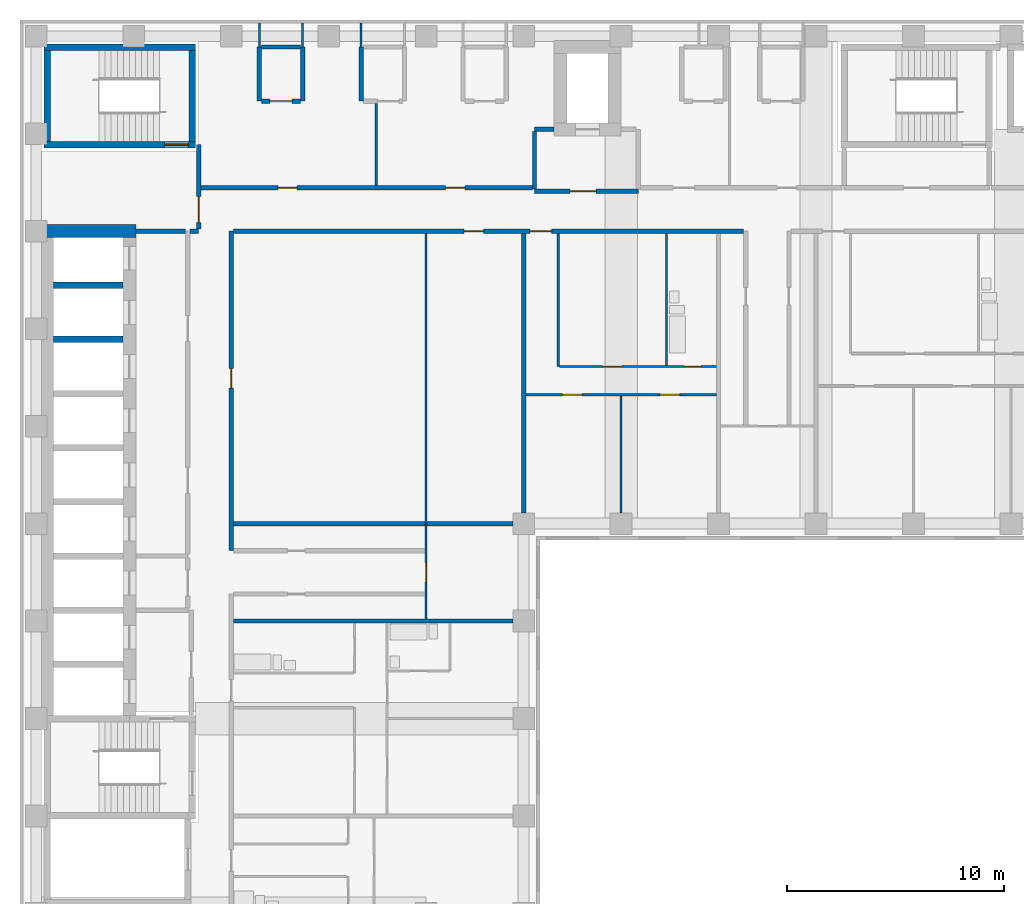
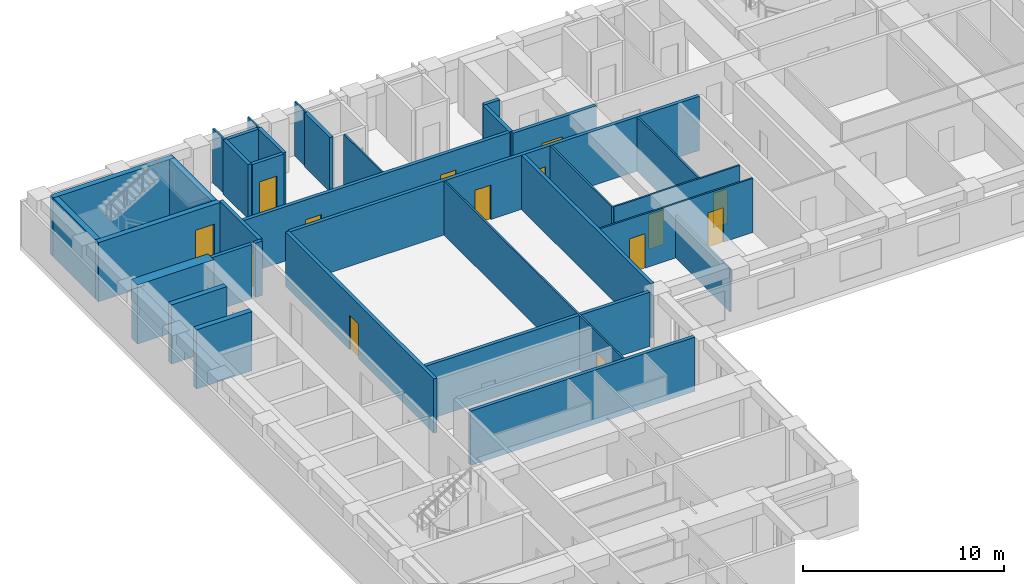
# One storey, part 5 of 12: 34 walls, 14 doors, 14 openings.
"""IFC4 building model written with IfcOpenShell, lengths in metres."""

from ifc_helpers import new_model, si_unit, direction, frame, frame_2d, origin, place, context, subcontext, project, spatial, rectangle, extrude, material, layer, layer_set, type_object, element, fill, save


model = new_model("IFC4")

# Units and contexts
model_context = context("Model", 3, precision=1e-05, world=origin(), true_north=direction((0.0, 1.0)))
body_context = subcontext(model_context, "Body", "Model", "MODEL_VIEW")
ifc_project = project(units=[si_unit("LENGTHUNIT", "METRE"), si_unit("AREAUNIT", "SQUARE_METRE"), si_unit("VOLUMEUNIT", "CUBIC_METRE"), si_unit("PLANEANGLEUNIT", "RADIAN"), si_unit("MASSUNIT", "GRAM", prefix="KILO")], contexts=[model_context])

# Site, building, storey
site_placement = place(None, origin())
site = spatial("IfcSite", under=ifc_project, at=site_placement, CompositionType="ELEMENT")
building_placement = place(site_placement, origin())
building = spatial("IfcBuilding", under=site, at=building_placement, Name="Firuza Court", CompositionType="ELEMENT")
storey_placement = place(building_placement, frame((0.0, 0.0, 152.0)))
storey = spatial("IfcBuildingStorey", under=building, at=storey_placement, Name="L38", CompositionType="ELEMENT", Elevation=152.0)

# Wall
ifc_material_1 = material(Name="Moisture-resistant gypsum board partition")
ifc_layer_1 = layer(ifc_material_1, 0.10009765625)
ifc_layer_set_1 = layer_set([ifc_layer_1], Name="Moisture-resistant gypsum board partition")
wall_type_1 = type_object("IfcWallType", Name="Bathroom partition 100", PredefinedType="PLUMBINGWALL", material=ifc_layer_set_1)
wall_1_placement = place(storey_placement, frame((29.10009765625, 43.300048828125, 0.0), z_axis=(0.0, 0.0, 1.0), x_axis=(0.0, 1.0, 0.0)))
element("IfcWall", 1, at=wall_1_placement, inside=storey, type_object=wall_type_1, Name="Bathroom partition 100 L38", PredefinedType="PLUMBINGWALL", context=body_context, shape_type="SweptSolid", body=[
    extrude(rectangle(XDim=6.099853515625, YDim=0.10009765625, at=frame_2d((3.0498046875, 0.0))), origin(), (0.0, 0.0, 1.0), 3.300048828125),
])

# Wall, opening, door
ifc_material_2 = material(Name="Concrete C60/75", Category="concrete")
ifc_layer_2 = layer(ifc_material_2, 0.300048828125)
ifc_layer_set_2 = layer_set([ifc_layer_2], Name="Concrete C60/75")
wall_type_2 = type_object("IfcWallType", Name="Core wall 300 C60/75", PredefinedType="SHEAR", material=ifc_layer_set_2)
wall_2_placement = place(storey_placement, frame((0.35009765625, 53.5, -0.300048828125), z_axis=(0.0, 0.0, 1.0), x_axis=(1.0, 0.0, 0.0)))
wall_2 = element("IfcWall", 2, at=wall_2_placement, inside=storey, type_object=wall_type_2, Name="Core wall stair L38", PredefinedType="SHEAR", context=body_context, shape_type="SweptSolid", body=[
    extrude(rectangle(XDim=7.0, YDim=0.300048828125, at=frame_2d((3.5, 0.0))), origin(), (0.0, 0.0, 1.0), 3.60009765625),
])
opening_1_placement = place(wall_2_placement, frame((5.580078125, 0.0, 0.300048828125)))
opening_1 = element("IfcOpeningElement", 3, at=opening_1_placement, cuts=wall_2, Name="Opening D38015", PredefinedType="OPENING", context=body_context, shape_type="SweptSolid", body=[
    extrude(rectangle(XDim=1.10009765625, YDim=2.10009765625, at=frame_2d((0.550048828125, 1.050048828125))), frame((0.0, 0.162109375, 0.0), z_axis=(0.0, -1.0, 0.0), x_axis=(1.0, 0.0, 0.0)), (0.0, 0.0, 1.0), 0.323974609375),
])
ifc_material_3 = material(Name="Timber door leaf in hardwood frame", Category="wood")
door_type_1 = type_object("IfcDoorType", Name="Stair door 1100", OperationType="SINGLE_SWING_LEFT", PredefinedType="DOOR", material=ifc_material_3)
door_1_placement = place(opening_1_placement, origin())
door_1 = element("IfcDoor", 4, at=door_1_placement, inside=storey, type_object=door_type_1, Name="Stair door S3", OperationType="SINGLE_SWING_RIGHT", OverallHeight=2.10009765625, OverallWidth=1.10009765625, PredefinedType="DOOR", context=body_context, shape_type="SweptSolid", body=[
    extrude(rectangle(XDim=1.10009765625, YDim=2.10009765625, at=frame_2d((0.550048828125, 1.050048828125))), frame((0.0, 0.02490234375, 0.0), z_axis=(0.0, -1.0, 0.0), x_axis=(1.0, 0.0, 0.0)), (0.0, 0.0, 1.0), 0.050048828125),
])
fill(opening_1, door_1)

# Walls
wall_3_placement = place(storey_placement, frame((0.35009765625, 58.0, -0.300048828125), z_axis=(0.0, 0.0, 1.0), x_axis=(1.0, 0.0, 0.0)))
element("IfcWall", 5, at=wall_3_placement, inside=storey, type_object=wall_type_2, Name="Core wall stair L38", PredefinedType="SHEAR", context=body_context, shape_type="SweptSolid", body=[
    extrude(rectangle(XDim=7.0, YDim=0.300048828125, at=frame_2d((3.5, 0.0))), origin(), (0.0, 0.0, 1.0), 3.60009765625),
])
wall_4_placement = place(storey_placement, frame((0.5, 53.64990234375, -0.300048828125), z_axis=(0.0, 0.0, 1.0), x_axis=(0.0, 1.0, 0.0)))
element("IfcWall", 6, at=wall_4_placement, inside=storey, type_object=wall_type_2, Name="Core wall stair L38", PredefinedType="SHEAR", context=body_context, shape_type="SweptSolid", body=[
    extrude(rectangle(XDim=4.2001953125, YDim=0.300048828125, at=frame_2d((2.10009765625, 0.0))), origin(), (0.0, 0.0, 1.0), 3.60009765625),
])
for number, where, z_axis, x_axis, name in (
    (7, (0.800048828125, 44.5, -0.300048828125), (0.0, 0.0, 1.0), (1.0, 0.0, 0.0), "Core wall lift shaft L38"),
    (8, (0.800048828125, 47.0, -0.300048828125), (0.0, 0.0, 1.0), (1.0, 0.0, 0.0), "Core wall lift shaft L38"),
):
    element("IfcWall", number, at=place(storey_placement, frame(where, z_axis=z_axis, x_axis=x_axis)), inside=storey, type_object=wall_type_2, Name=name, PredefinedType="SHEAR", context=body_context, shape_type="SweptSolid", body=[
        extrude(rectangle(XDim=3.199951171875, YDim=0.300048828125, at=frame_2d((1.60009765625, 0.0))), origin(), (0.0, 0.0, 1.0), 3.60009765625),
    ])
wall_5_placement = place(storey_placement, frame((7.199951171875, 53.64990234375, -0.300048828125), z_axis=(0.0, 0.0, 1.0), x_axis=(0.0, 1.0, 0.0)))
element("IfcWall", 9, at=wall_5_placement, inside=storey, type_object=wall_type_2, Name="Core wall stair L38", PredefinedType="SHEAR", context=body_context, shape_type="SweptSolid", body=[
    extrude(rectangle(XDim=4.2001953125, YDim=0.300048828125, at=frame_2d((2.10009765625, 0.0))), origin(), (0.0, 0.0, 1.0), 3.60009765625),
])
ifc_layer_3 = layer(ifc_material_2, 0.60009765625)
ifc_layer_set_3 = layer_set([ifc_layer_3], Name="Concrete C60/75")
wall_type_3 = type_object("IfcWallType", Name="Core wall 600 C60/75", PredefinedType="SHEAR", material=ifc_layer_set_3)
wall_6_placement = place(storey_placement, frame((0.199951171875, 49.5, -0.300048828125), z_axis=(0.0, 0.0, 1.0), x_axis=(1.0, 0.0, 0.0)))
element("IfcWall", 10, at=wall_6_placement, inside=storey, type_object=wall_type_3, Name="Core wall lift shaft L38", PredefinedType="SHEAR", context=body_context, shape_type="SweptSolid", body=[
    extrude(rectangle(XDim=4.400146484375, YDim=0.60009765625, at=frame_2d((2.2001953125, 0.0))), origin(), (0.0, 0.0, 1.0), 3.60009765625),
])

# Wall, opening, door
ifc_material_4 = material(Name="Blockwork, plastered both sides", Category="masonry")
ifc_layer_4 = layer(ifc_material_4, 0.199951171875)
ifc_layer_set_4 = layer_set([ifc_layer_4], Name="Blockwork, plastered both sides")
wall_type_4 = type_object("IfcWallType", Name="Corridor wall 200", PredefinedType="PARTITIONING", material=ifc_layer_set_4)
wall_7_placement = place(storey_placement, frame((9.0, 34.75, 0.0), z_axis=(0.0, 0.0, 1.0), x_axis=(0.0, 1.0, 0.0)))
wall_7 = element("IfcWall", 11, at=wall_7_placement, inside=storey, type_object=wall_type_4, Name="Corridor wall 200 L38", PredefinedType="PARTITIONING", context=body_context, shape_type="SweptSolid", body=[
    extrude(rectangle(XDim=14.75, YDim=0.199951171875, at=frame_2d((7.375, 0.0))), origin(), (0.0, 0.0, 1.0), 3.300048828125),
])
opening_2_placement = place(wall_7_placement, frame((7.5, 0.0, 0.0)))
opening_2 = element("IfcOpeningElement", 12, at=opening_2_placement, cuts=wall_7, Name="Opening D38040", PredefinedType="OPENING", context=body_context, shape_type="SweptSolid", body=[
    extrude(rectangle(XDim=0.89990234375, YDim=2.10009765625, at=frame_2d((0.449951171875, 1.050048828125))), frame((0.0, 0.11181640625, 0.0), z_axis=(0.0, -1.0, 0.0), x_axis=(1.0, 0.0, 0.0)), (0.0, 0.0, 1.0), 0.223876953125),
])
ifc_material_5 = material(Name="Timber door leaf in hardwood frame", Category="wood")
door_type_2 = type_object("IfcDoorType", Name="Room door 900 EI 30", OperationType="SINGLE_SWING_LEFT", PredefinedType="DOOR", material=ifc_material_5)
door_2_placement = place(opening_2_placement, origin())
door_2 = element("IfcDoor", 13, at=door_2_placement, inside=storey, type_object=door_type_2, Name="Residents' dining room door", OperationType="SINGLE_SWING_LEFT", OverallHeight=2.10009765625, OverallWidth=0.89990234375, PredefinedType="DOOR", context=body_context, shape_type="SweptSolid", body=[
    extrude(rectangle(XDim=0.89990234375, YDim=2.10009765625, at=frame_2d((0.449951171875, 1.050048828125))), frame((0.0, 0.02490234375, 0.0), z_axis=(0.0, -1.0, 0.0), x_axis=(1.0, 0.0, 0.0)), (0.0, 0.0, 1.0), 0.050048828125),
])
fill(opening_2, door_2)

# Wall, openings, doors
wall_8_placement = place(storey_placement, frame((9.10009765625, 49.5, 0.0), z_axis=(0.0, 0.0, 1.0), x_axis=(1.0, 0.0, 0.0)))
wall_8 = element("IfcWall", 14, at=wall_8_placement, inside=storey, type_object=wall_type_4, Name="Corridor wall 200 L38", PredefinedType="PARTITIONING", context=body_context, shape_type="SweptSolid", body=[
    extrude(rectangle(XDim=23.5498046875, YDim=0.199951171875, at=frame_2d((11.77490234375, 0.0))), origin(), (0.0, 0.0, 1.0), 3.300048828125),
])
opening_3_placement = place(wall_8_placement, frame((13.699951171875, 0.0, 0.0)))
opening_3 = element("IfcOpeningElement", 15, at=opening_3_placement, cuts=wall_8, Name="Opening D38066", PredefinedType="OPENING", context=body_context, shape_type="SweptSolid", body=[
    extrude(rectangle(XDim=1.0, YDim=2.10009765625, at=frame_2d((0.5, 1.050048828125))), frame((0.0, 0.11181640625, 0.0), z_axis=(0.0, -1.0, 0.0), x_axis=(1.0, 0.0, 0.0)), (0.0, 0.0, 1.0), 0.223876953125),
])
opening_4_placement = place(wall_8_placement, frame((10.64990234375, 0.0, 0.0)))
opening_4 = element("IfcOpeningElement", 16, at=opening_4_placement, cuts=wall_8, Name="Opening D38067", PredefinedType="OPENING", context=body_context, shape_type="SweptSolid", body=[
    extrude(rectangle(XDim=0.89990234375, YDim=2.10009765625, at=frame_2d((0.449951171875, 1.050048828125))), frame((0.0, 0.11181640625, 0.0), z_axis=(0.0, -1.0, 0.0), x_axis=(1.0, 0.0, 0.0)), (0.0, 0.0, 1.0), 0.223876953125),
])
ifc_material_6 = material(Name="Timber door leaf in hardwood frame", Category="wood")
door_type_3 = type_object("IfcDoorType", Name="Flat entrance door 1000", OperationType="SINGLE_SWING_LEFT", PredefinedType="DOOR", material=ifc_material_6)
door_3_placement = place(opening_3_placement, origin())
door_3 = element("IfcDoor", 17, at=door_3_placement, inside=storey, type_object=door_type_3, Name="Flat entrance door", OperationType="SINGLE_SWING_LEFT", OverallHeight=2.10009765625, OverallWidth=1.0, PredefinedType="DOOR", context=body_context, shape_type="SweptSolid", body=[
    extrude(rectangle(XDim=1.0, YDim=2.10009765625, at=frame_2d((0.5, 1.050048828125))), frame((0.0, 0.02490234375, 0.0), z_axis=(0.0, -1.0, 0.0), x_axis=(1.0, 0.0, 0.0)), (0.0, 0.0, 1.0), 0.050048828125),
])
fill(opening_3, door_3)
door_4_placement = place(opening_4_placement, frame((0.89990234375, 0.0, 0.0), z_axis=(0.0, 0.0, 1.0), x_axis=(-1.0, 0.0, 0.0)))
door_4 = element("IfcDoor", 18, at=door_4_placement, inside=storey, type_object=door_type_2, Name="Library door", OperationType="SINGLE_SWING_RIGHT", OverallHeight=2.10009765625, OverallWidth=0.89990234375, PredefinedType="DOOR", context=body_context, shape_type="SweptSolid", body=[
    extrude(rectangle(XDim=0.89990234375, YDim=2.10009765625, at=frame_2d((0.449951171875, 1.050048828125))), frame((0.0, 0.02490234375, 0.0), z_axis=(0.0, -1.0, 0.0), x_axis=(1.0, 0.0, 0.0)), (0.0, 0.0, 1.0), 0.050048828125),
])
fill(opening_4, door_4)

wall_9_placement = place(storey_placement, frame((7.60009765625, 51.5, 0.0), z_axis=(0.0, 0.0, 1.0), x_axis=(1.0, 0.0, 0.0)))
wall_9 = element("IfcWall", 19, at=wall_9_placement, inside=storey, type_object=wall_type_4, Name="Corridor wall 200 L38", PredefinedType="PARTITIONING", context=body_context, shape_type="SweptSolid", body=[
    extrude(rectangle(XDim=15.2998046875, YDim=0.199951171875, at=frame_2d((7.64990234375, 0.0))), origin(), (0.0, 0.0, 1.0), 3.300048828125),
])
opening_5_placement = place(wall_9_placement, frame((3.550048828125, 0.0, 0.0)))
opening_5 = element("IfcOpeningElement", 20, at=opening_5_placement, cuts=wall_9, Name="Opening D38070", PredefinedType="OPENING", context=body_context, shape_type="SweptSolid", body=[
    extrude(rectangle(XDim=0.89990234375, YDim=2.10009765625, at=frame_2d((0.449951171875, 1.050048828125))), frame((0.0, 0.11181640625, 0.0), z_axis=(0.0, -1.0, 0.0), x_axis=(1.0, 0.0, 0.0)), (0.0, 0.0, 1.0), 0.223876953125),
])
opening_6_placement = place(wall_9_placement, frame((11.300048828125, 0.0, 0.0)))
opening_6 = element("IfcOpeningElement", 21, at=opening_6_placement, cuts=wall_9, Name="Opening D38071", PredefinedType="OPENING", context=body_context, shape_type="SweptSolid", body=[
    extrude(rectangle(XDim=0.89990234375, YDim=2.10009765625, at=frame_2d((0.449951171875, 1.050048828125))), frame((0.0, 0.11181640625, 0.0), z_axis=(0.0, -1.0, 0.0), x_axis=(1.0, 0.0, 0.0)), (0.0, 0.0, 1.0), 0.223876953125),
])
door_5_placement = place(opening_5_placement, origin())
door_5 = element("IfcDoor", 22, at=door_5_placement, inside=storey, type_object=door_type_2, Name="Meeting room door", OperationType="SINGLE_SWING_LEFT", OverallHeight=2.10009765625, OverallWidth=0.89990234375, PredefinedType="DOOR", context=body_context, shape_type="SweptSolid", body=[
    extrude(rectangle(XDim=0.89990234375, YDim=2.10009765625, at=frame_2d((0.449951171875, 1.050048828125))), frame((0.0, 0.02490234375, 0.0), z_axis=(0.0, -1.0, 0.0), x_axis=(1.0, 0.0, 0.0)), (0.0, 0.0, 1.0), 0.050048828125),
])
fill(opening_5, door_5)
door_6_placement = place(opening_6_placement, origin())
door_6 = element("IfcDoor", 23, at=door_6_placement, inside=storey, type_object=door_type_2, Name="Meeting room door", OperationType="SINGLE_SWING_LEFT", OverallHeight=2.10009765625, OverallWidth=0.89990234375, PredefinedType="DOOR", context=body_context, shape_type="SweptSolid", body=[
    extrude(rectangle(XDim=0.89990234375, YDim=2.10009765625, at=frame_2d((0.449951171875, 1.050048828125))), frame((0.0, 0.02490234375, 0.0), z_axis=(0.0, -1.0, 0.0), x_axis=(1.0, 0.0, 0.0)), (0.0, 0.0, 1.0), 0.050048828125),
])
fill(opening_6, door_6)

# Wall, opening, door
ifc_material_7 = material(Name="Timber stud partition, plasterboard both sides", Category="wood")
ifc_layer_5 = layer(ifc_material_7, 0.10009765625)
ifc_layer_set_5 = layer_set([ifc_layer_5], Name="Timber stud partition, plasterboard both sides")
wall_type_5 = type_object("IfcWallType", Name="Partition wall 100", PredefinedType="PARTITIONING", material=ifc_layer_set_5)
wall_10_placement = place(storey_placement, frame((18.0, 31.60009765625, 0.0), z_axis=(0.0, 0.0, 1.0), x_axis=(0.0, 1.0, 0.0)))
wall_10 = element("IfcWall", 24, at=wall_10_placement, inside=storey, type_object=wall_type_5, Name="Partition wall 100 L38", PredefinedType="PARTITIONING", context=body_context, shape_type="SweptSolid", body=[
    extrude(rectangle(XDim=17.7998046875, YDim=0.10009765625, at=frame_2d((8.89990234375, 0.0))), origin(), (0.0, 0.0, 1.0), 3.300048828125),
])
opening_7_placement = place(wall_10_placement, frame((1.699951171875, 0.0, 0.0)))
opening_7 = element("IfcOpeningElement", 25, at=opening_7_placement, cuts=wall_10, Name="Opening D38038", PredefinedType="OPENING", context=body_context, shape_type="SweptSolid", body=[
    extrude(rectangle(XDim=0.89990234375, YDim=2.10009765625, at=frame_2d((0.449951171875, 1.050048828125))), frame((0.0, 0.06201171875, 0.0), z_axis=(0.0, -1.0, 0.0), x_axis=(1.0, 0.0, 0.0)), (0.0, 0.0, 1.0), 0.1240234375),
])
ifc_material_8 = material(Name="Timber door leaf in hardwood frame", Category="wood")
door_type_4 = type_object("IfcDoorType", Name="Room door 900", OperationType="SINGLE_SWING_LEFT", PredefinedType="DOOR", material=ifc_material_8)
door_7_placement = place(opening_7_placement, origin())
door_7 = element("IfcDoor", 26, at=door_7_placement, inside=storey, type_object=door_type_4, Name="Residents' lounge door", OperationType="SINGLE_SWING_LEFT", OverallHeight=2.10009765625, OverallWidth=0.89990234375, PredefinedType="DOOR", context=body_context, shape_type="SweptSolid", body=[
    extrude(rectangle(XDim=0.89990234375, YDim=2.10009765625, at=frame_2d((0.449951171875, 1.050048828125))), frame((0.0, 0.02490234375, 0.0), z_axis=(0.0, -1.0, 0.0), x_axis=(1.0, 0.0, 0.0)), (0.0, 0.0, 1.0), 0.050048828125),
])
fill(opening_7, door_7)

# Wall
wall_11_placement = place(storey_placement, frame((27.0, 36.5, 0.0), z_axis=(0.0, 0.0, 1.0), x_axis=(0.0, 1.0, 0.0)))
element("IfcWall", 27, at=wall_11_placement, inside=storey, type_object=wall_type_5, Name="Partition wall 100 L38", PredefinedType="PARTITIONING", context=body_context, shape_type="SweptSolid", body=[
    extrude(rectangle(XDim=5.39990234375, YDim=0.10009765625, at=frame_2d((2.699951171875, 0.0))), origin(), (0.0, 0.0, 1.0), 2.60009765625),
])

# Wall, openings, doors
wall_12_placement = place(storey_placement, frame((22.60009765625, 41.949951171875, 0.0), z_axis=(0.0, 0.0, 1.0), x_axis=(1.0, 0.0, 0.0)))
wall_12 = element("IfcWall", 28, at=wall_12_placement, inside=storey, type_object=wall_type_5, Name="Partition wall 100 L38", PredefinedType="PARTITIONING", context=body_context, shape_type="SweptSolid", body=[
    extrude(rectangle(XDim=8.7998046875, YDim=0.10009765625, at=frame_2d((4.39990234375, 0.0))), origin(), (0.0, 0.0, 1.0), 3.300048828125),
])
opening_8_placement = place(wall_12_placement, frame((1.699951171875, 0.0, 0.0)))
opening_8 = element("IfcOpeningElement", 29, at=opening_8_placement, cuts=wall_12, Name="Opening D38051", PredefinedType="OPENING", context=body_context, shape_type="SweptSolid", body=[
    extrude(rectangle(XDim=0.89990234375, YDim=2.10009765625, at=frame_2d((0.449951171875, 1.050048828125))), frame((0.0, 0.06201171875, 0.0), z_axis=(0.0, -1.0, 0.0), x_axis=(1.0, 0.0, 0.0)), (0.0, 0.0, 1.0), 0.1240234375),
])
opening_9_placement = place(wall_12_placement, frame((6.199951171875, 0.0, 0.0)))
opening_9 = element("IfcOpeningElement", 30, at=opening_9_placement, cuts=wall_12, Name="Opening D38052", PredefinedType="OPENING", context=body_context, shape_type="SweptSolid", body=[
    extrude(rectangle(XDim=0.89990234375, YDim=2.10009765625, at=frame_2d((0.449951171875, 1.050048828125))), frame((0.0, 0.06201171875, 0.0), z_axis=(0.0, -1.0, 0.0), x_axis=(1.0, 0.0, 0.0)), (0.0, 0.0, 1.0), 0.1240234375),
])
door_8_placement = place(opening_8_placement, frame((0.89990234375, 0.0, 0.0), z_axis=(0.0, 0.0, 1.0), x_axis=(-1.0, 0.0, 0.0)))
door_8 = element("IfcDoor", 31, at=door_8_placement, inside=storey, type_object=door_type_4, Name="Bedroom door", OperationType="SINGLE_SWING_RIGHT", OverallHeight=2.10009765625, OverallWidth=0.89990234375, PredefinedType="DOOR", context=body_context, shape_type="SweptSolid", body=[
    extrude(rectangle(XDim=0.89990234375, YDim=2.10009765625, at=frame_2d((0.449951171875, 1.050048828125))), frame((0.0, 0.02490234375, 0.0), z_axis=(0.0, -1.0, 0.0), x_axis=(1.0, 0.0, 0.0)), (0.0, 0.0, 1.0), 0.050048828125),
])
fill(opening_8, door_8)
door_9_placement = place(opening_9_placement, frame((0.89990234375, 0.0, 0.0), z_axis=(0.0, 0.0, 1.0), x_axis=(-1.0, 0.0, 0.0)))
door_9 = element("IfcDoor", 32, at=door_9_placement, inside=storey, type_object=door_type_4, Name="Living room door", OperationType="SINGLE_SWING_RIGHT", OverallHeight=2.10009765625, OverallWidth=0.89990234375, PredefinedType="DOOR", context=body_context, shape_type="SweptSolid", body=[
    extrude(rectangle(XDim=0.89990234375, YDim=2.10009765625, at=frame_2d((0.449951171875, 1.050048828125))), frame((0.0, 0.02490234375, 0.0), z_axis=(0.0, -1.0, 0.0), x_axis=(1.0, 0.0, 0.0)), (0.0, 0.0, 1.0), 0.050048828125),
])
fill(opening_9, door_9)

# Wall
wall_13_placement = place(storey_placement, frame((24.10009765625, 43.25, 0.0), z_axis=(0.0, 0.0, 1.0), x_axis=(0.0, 1.0, 0.0)))
element("IfcWall", 33, at=wall_13_placement, inside=storey, type_object=wall_type_5, Name="Partition wall 100 L38", PredefinedType="PARTITIONING", context=body_context, shape_type="SweptSolid", body=[
    extrude(rectangle(XDim=6.14990234375, YDim=0.10009765625, at=frame_2d((3.074951171875, 0.0))), origin(), (0.0, 0.0, 1.0), 3.300048828125),
])

# Wall, openings, doors
wall_14_placement = place(storey_placement, frame((24.14990234375, 43.25, 0.0), z_axis=(0.0, 0.0, 1.0), x_axis=(1.0, 0.0, 0.0)))
wall_14 = element("IfcWall", 34, at=wall_14_placement, inside=storey, type_object=wall_type_5, Name="Partition wall 100 L38", PredefinedType="PARTITIONING", context=body_context, shape_type="SweptSolid", body=[
    extrude(rectangle(XDim=7.25, YDim=0.10009765625, at=frame_2d((3.625, 0.0))), origin(), (0.0, 0.0, 1.0), 3.300048828125),
])
opening_10_placement = place(wall_14_placement, frame((5.75, 0.0, 0.0)))
opening_10 = element("IfcOpeningElement", 35, at=opening_10_placement, cuts=wall_14, Name="Opening D38056", PredefinedType="OPENING", context=body_context, shape_type="SweptSolid", body=[
    extrude(rectangle(XDim=0.800048828125, YDim=2.10009765625, at=frame_2d((0.39990234375, 1.050048828125))), frame((0.0, 0.06201171875, 0.0), z_axis=(0.0, -1.0, 0.0), x_axis=(1.0, 0.0, 0.0)), (0.0, 0.0, 1.0), 0.1240234375),
])
opening_11_placement = place(wall_14_placement, frame((2.0, 0.0, 0.0)))
opening_11 = element("IfcOpeningElement", 36, at=opening_11_placement, cuts=wall_14, Name="Opening D38057", PredefinedType="OPENING", context=body_context, shape_type="SweptSolid", body=[
    extrude(rectangle(XDim=0.89990234375, YDim=2.10009765625, at=frame_2d((0.449951171875, 1.050048828125))), frame((0.0, 0.06201171875, 0.0), z_axis=(0.0, -1.0, 0.0), x_axis=(1.0, 0.0, 0.0)), (0.0, 0.0, 1.0), 0.1240234375),
])
ifc_material_9 = material(Name="Timber door leaf in hardwood frame", Category="wood")
door_type_5 = type_object("IfcDoorType", Name="Bathroom door 800", OperationType="SINGLE_SWING_LEFT", PredefinedType="DOOR", material=ifc_material_9)
door_10_placement = place(opening_10_placement, origin())
door_10 = element("IfcDoor", 37, at=door_10_placement, inside=storey, type_object=door_type_5, Name="Bathroom door", OperationType="SINGLE_SWING_LEFT", OverallHeight=2.10009765625, OverallWidth=0.800048828125, PredefinedType="DOOR", context=body_context, shape_type="SweptSolid", body=[
    extrude(rectangle(XDim=0.800048828125, YDim=2.10009765625, at=frame_2d((0.39990234375, 1.050048828125))), frame((0.0, 0.02490234375, 0.0), z_axis=(0.0, -1.0, 0.0), x_axis=(1.0, 0.0, 0.0)), (0.0, 0.0, 1.0), 0.050048828125),
])
fill(opening_10, door_10)
door_11_placement = place(opening_11_placement, origin())
door_11 = element("IfcDoor", 38, at=door_11_placement, inside=storey, type_object=door_type_4, Name="Kitchen door", OperationType="SINGLE_SWING_LEFT", OverallHeight=2.10009765625, OverallWidth=0.89990234375, PredefinedType="DOOR", context=body_context, shape_type="SweptSolid", body=[
    extrude(rectangle(XDim=0.89990234375, YDim=2.10009765625, at=frame_2d((0.449951171875, 1.050048828125))), frame((0.0, 0.02490234375, 0.0), z_axis=(0.0, -1.0, 0.0), x_axis=(1.0, 0.0, 0.0)), (0.0, 0.0, 1.0), 0.050048828125),
])
fill(opening_11, door_11)

# Walls
wall_15_placement = place(storey_placement, frame((15.699951171875, 51.60009765625, 0.0), z_axis=(0.0, 0.0, 1.0), x_axis=(0.0, 1.0, 0.0)))
element("IfcWall", 39, at=wall_15_placement, inside=storey, type_object=wall_type_5, Name="Partition wall 100 L38", PredefinedType="PARTITIONING", context=body_context, shape_type="SweptSolid", body=[
    extrude(rectangle(XDim=3.7998046875, YDim=0.10009765625, at=frame_2d((1.89990234375, 0.0))), origin(), (0.0, 0.0, 1.0), 3.300048828125),
])
for number, where, z_axis, x_axis, name in (
    (40, (10.300048828125, 58.0, 0.0), (0.0, 0.0, 1.0), (0.0, 1.0, 0.0), "Partition wall 100 L38"),
    (41, (12.300048828125, 58.0, 0.0), (0.0, 0.0, 1.0), (0.0, 1.0, 0.0), "Partition wall 100 L38"),
    (42, (15.0, 58.0, 0.0), (0.0, 0.0, 1.0), (0.0, 1.0, 0.0), "Partition wall 100 L38"),
):
    element("IfcWall", number, at=place(storey_placement, frame(where, z_axis=z_axis, x_axis=x_axis)), inside=storey, type_object=wall_type_5, Name=name, PredefinedType="PARTITIONING", context=body_context, shape_type="SweptSolid", body=[
        extrude(rectangle(XDim=1.10009765625, YDim=0.10009765625, at=frame_2d((0.550048828125, 0.0))), origin(), (0.0, 0.0, 1.0), 3.300048828125),
    ])
ifc_layer_6 = layer(ifc_material_4, 0.199951171875)
ifc_layer_set_6 = layer_set([ifc_layer_6], Name="Blockwork, plastered both sides")
wall_type_6 = type_object("IfcWallType", Name="Party wall 200", PredefinedType="PARTITIONING", material=ifc_layer_set_6)
for number, where, z_axis, x_axis, name in (
    (43, (9.10009765625, 31.5, 0.0), (0.0, 0.0, 1.0), (1.0, 0.0, 0.0), "Party wall 200 L38"),
    (44, (9.10009765625, 36.0, 0.0), (0.0, 0.0, 1.0), (1.0, 0.0, 0.0), "Party wall 200 L38"),
    (45, (22.5, 36.5, 0.0), (0.0, 0.0, 1.0), (0.0, 1.0, 0.0), "Party wall 200 L38"),
):
    element("IfcWall", number, at=place(storey_placement, frame(where, z_axis=z_axis, x_axis=x_axis)), inside=storey, type_object=wall_type_6, Name=name, PredefinedType="PARTITIONING", context=body_context, shape_type="SweptSolid", body=[
        extrude(rectangle(XDim=12.89990234375, YDim=0.199951171875, at=frame_2d((6.449951171875, 0.0))), origin(), (0.0, 0.0, 1.0), 3.300048828125),
    ])
ifc_material_10 = material(Name="Blockwork, fire-rated", Category="masonry")
ifc_layer_7 = layer(ifc_material_10, 0.199951171875)
ifc_layer_set_7 = layer_set([ifc_layer_7], Name="Blockwork, fire-rated")
wall_type_7 = type_object("IfcWallType", Name="Plant room wall 200", PredefinedType="PARTITIONING", material=ifc_layer_set_7)
wall_16_placement = place(storey_placement, frame((10.300048828125, 55.5, 0.0), z_axis=(0.0, 0.0, 1.0), x_axis=(0.0, 1.0, 0.0)))
element("IfcWall", 46, at=wall_16_placement, inside=storey, type_object=wall_type_7, Name="Plant room wall 200 L38", PredefinedType="PARTITIONING", context=body_context, shape_type="SweptSolid", body=[
    extrude(rectangle(XDim=2.5, YDim=0.199951171875, at=frame_2d((1.25, 0.0))), origin(), (0.0, 0.0, 1.0), 3.300048828125),
])

# Wall, opening, door
wall_17_placement = place(storey_placement, frame((10.39990234375, 55.5, 0.0), z_axis=(0.0, 0.0, 1.0), x_axis=(1.0, 0.0, 0.0)))
wall_17 = element("IfcWall", 47, at=wall_17_placement, inside=storey, type_object=wall_type_7, Name="Plant room wall 200 L38", PredefinedType="PARTITIONING", context=body_context, shape_type="SweptSolid", body=[
    extrude(rectangle(XDim=1.800048828125, YDim=0.199951171875, at=frame_2d((0.89990234375, 0.0))), origin(), (0.0, 0.0, 1.0), 3.300048828125),
])
opening_12_placement = place(wall_17_placement, frame((0.39990234375, 0.0, 0.0)))
opening_12 = element("IfcOpeningElement", 48, at=opening_12_placement, cuts=wall_17, Name="Opening D38077", PredefinedType="OPENING", context=body_context, shape_type="SweptSolid", body=[
    extrude(rectangle(XDim=1.0, YDim=2.10009765625, at=frame_2d((0.5, 1.050048828125))), frame((0.0, 0.11181640625, 0.0), z_axis=(0.0, -1.0, 0.0), x_axis=(1.0, 0.0, 0.0)), (0.0, 0.0, 1.0), 0.223876953125),
])
ifc_material_11 = material(Name="Timber door leaf in hardwood frame", Category="wood")
door_type_6 = type_object("IfcDoorType", Name="Riser door 1000", OperationType="SINGLE_SWING_LEFT", PredefinedType="DOOR", material=ifc_material_11)
door_12_placement = place(opening_12_placement, origin())
door_12 = element("IfcDoor", 49, at=door_12_placement, inside=storey, type_object=door_type_6, Name="Comms riser door", OperationType="SINGLE_SWING_LEFT", OverallHeight=2.10009765625, OverallWidth=1.0, PredefinedType="DOOR", context=body_context, shape_type="SweptSolid", body=[
    extrude(rectangle(XDim=1.0, YDim=2.10009765625, at=frame_2d((0.5, 1.050048828125))), frame((0.0, 0.02490234375, 0.0), z_axis=(0.0, -1.0, 0.0), x_axis=(1.0, 0.0, 0.0)), (0.0, 0.0, 1.0), 0.050048828125),
])
fill(opening_12, door_12)

# Walls
for number, where, z_axis, x_axis, name in (
    (50, (12.300048828125, 55.5, 0.0), (0.0, 0.0, 1.0), (0.0, 1.0, 0.0), "Plant room wall 200 L38"),
    (51, (15.0, 55.5, 0.0), (0.0, 0.0, 1.0), (0.0, 1.0, 0.0), "Plant room wall 200 L38"),
):
    element("IfcWall", number, at=place(storey_placement, frame(where, z_axis=z_axis, x_axis=x_axis)), inside=storey, type_object=wall_type_7, Name=name, PredefinedType="PARTITIONING", context=body_context, shape_type="SweptSolid", body=[
        extrude(rectangle(XDim=2.5, YDim=0.199951171875, at=frame_2d((1.25, 0.0))), origin(), (0.0, 0.0, 1.0), 3.300048828125),
    ])
wall_18_placement = place(storey_placement, frame((10.39990234375, 58.0, 0.0), z_axis=(0.0, 0.0, 1.0), x_axis=(1.0, 0.0, 0.0)))
element("IfcWall", 52, at=wall_18_placement, inside=storey, type_object=wall_type_7, Name="Plant room wall 200 L38", PredefinedType="PARTITIONING", context=body_context, shape_type="SweptSolid", body=[
    extrude(rectangle(XDim=1.800048828125, YDim=0.199951171875, at=frame_2d((0.89990234375, 0.0))), origin(), (0.0, 0.0, 1.0), 3.300048828125),
])
ifc_layer_8 = layer(ifc_material_10, 0.199951171875)
ifc_layer_set_8 = layer_set([ifc_layer_8], Name="Blockwork, fire-rated")
wall_type_8 = type_object("IfcWallType", Name="Shaft wall 200", PredefinedType="PARTITIONING", material=ifc_layer_set_8)
wall_19_placement = place(storey_placement, frame((4.60009765625, 49.5, 0.0), z_axis=(0.0, 0.0, 1.0), x_axis=(1.0, 0.0, 0.0)))
element("IfcWall", 53, at=wall_19_placement, inside=storey, type_object=wall_type_8, Name="Shaft wall 200 L38", PredefinedType="PARTITIONING", context=body_context, shape_type="SweptSolid", body=[
    extrude(rectangle(XDim=2.2998046875, YDim=0.199951171875, at=frame_2d((1.14990234375, 0.0))), origin(), (0.0, 0.0, 1.0), 3.300048828125),
])

# Wall, opening, door
wall_20_placement = place(storey_placement, frame((23.0, 51.35009765625, 0.0), z_axis=(0.0, 0.0, 1.0), x_axis=(1.0, 0.0, 0.0)))
wall_20 = element("IfcWall", 54, at=wall_20_placement, inside=storey, type_object=wall_type_8, Name="Shaft wall 200 L38", PredefinedType="PARTITIONING", context=body_context, shape_type="SweptSolid", body=[
    extrude(rectangle(XDim=4.800048828125, YDim=0.199951171875, at=frame_2d((2.39990234375, 0.0))), origin(), (0.0, 0.0, 1.0), 3.300048828125),
])
opening_13_placement = place(wall_20_placement, frame((1.64990234375, 0.0, 0.0)))
opening_13 = element("IfcOpeningElement", 55, at=opening_13_placement, cuts=wall_20, Name="Opening D38003", PredefinedType="OPENING", context=body_context, shape_type="SweptSolid", body=[
    extrude(rectangle(XDim=1.199951171875, YDim=2.10009765625, at=frame_2d((0.60009765625, 1.050048828125))), frame((0.0, 0.11181640625, 0.0), z_axis=(0.0, -1.0, 0.0), x_axis=(1.0, 0.0, 0.0)), (0.0, 0.0, 1.0), 0.223876953125),
])
ifc_material_12 = material(Name="Timber door leaf in hardwood frame", Category="wood")
door_type_7 = type_object("IfcDoorType", Name="Lobby door 1200", OperationType="SINGLE_SWING_LEFT", PredefinedType="DOOR", material=ifc_material_12)
door_13_placement = place(opening_13_placement, origin())
door_13 = element("IfcDoor", 56, at=door_13_placement, inside=storey, type_object=door_type_7, Name="Fire-fighting lobby door", OperationType="SINGLE_SWING_LEFT", OverallHeight=2.10009765625, OverallWidth=1.199951171875, PredefinedType="DOOR", context=body_context, shape_type="SweptSolid", body=[
    extrude(rectangle(XDim=1.199951171875, YDim=2.10009765625, at=frame_2d((0.60009765625, 1.050048828125))), frame((0.0, 0.02490234375, 0.0), z_axis=(0.0, -1.0, 0.0), x_axis=(1.0, 0.0, 0.0)), (0.0, 0.0, 1.0), 0.050048828125),
])
fill(opening_13, door_13)

# Walls
wall_21_placement = place(storey_placement, frame((23.0, 54.199951171875, 0.0), z_axis=(0.0, 0.0, 1.0), x_axis=(1.0, 0.0, 0.0)))
element("IfcWall", 57, at=wall_21_placement, inside=storey, type_object=wall_type_8, Name="Shaft wall 200 L38", PredefinedType="PARTITIONING", context=body_context, shape_type="SweptSolid", body=[
    extrude(rectangle(XDim=0.89990234375, YDim=0.199951171875, at=frame_2d((0.449951171875, 0.0))), origin(), (0.0, 0.0, 1.0), 3.300048828125),
])
wall_22_placement = place(storey_placement, frame((23.0, 51.449951171875, 0.0), z_axis=(0.0, 0.0, 1.0), x_axis=(0.0, 1.0, 0.0)))
element("IfcWall", 58, at=wall_22_placement, inside=storey, type_object=wall_type_8, Name="Shaft wall 200 L38", PredefinedType="PARTITIONING", context=body_context, shape_type="SweptSolid", body=[
    extrude(rectangle(XDim=2.650146484375, YDim=0.199951171875, at=frame_2d((1.3251953125, 0.0))), origin(), (0.0, 0.0, 1.0), 3.300048828125),
])
wall_23_placement = place(storey_placement, frame((7.10009765625, 49.5, 0.0), z_axis=(0.0, 0.0, 1.0), x_axis=(1.0, 0.0, 0.0)))
element("IfcWall", 59, at=wall_23_placement, inside=storey, type_object=wall_type_8, Name="Shaft wall 200 L38", PredefinedType="PARTITIONING", context=body_context, shape_type="SweptSolid", body=[
    extrude(rectangle(XDim=0.39990234375, YDim=0.199951171875, at=frame_2d((0.199951171875, 0.0))), origin(), (0.0, 0.0, 1.0), 3.300048828125),
])

# Wall, opening, door
wall_24_placement = place(storey_placement, frame((7.5, 49.60009765625, 0.0), z_axis=(0.0, 0.0, 1.0), x_axis=(0.0, 1.0, 0.0)))
wall_24 = element("IfcWall", 60, at=wall_24_placement, inside=storey, type_object=wall_type_8, Name="Shaft wall 200 L38", PredefinedType="PARTITIONING", context=body_context, shape_type="SweptSolid", body=[
    extrude(rectangle(XDim=3.89990234375, YDim=0.199951171875, at=frame_2d((1.949951171875, 0.0))), origin(), (0.0, 0.0, 1.0), 3.300048828125),
])
opening_14_placement = place(wall_24_placement, frame((0.300048828125, 0.0, 0.0)))
opening_14 = element("IfcOpeningElement", 61, at=opening_14_placement, cuts=wall_24, Name="Opening D38001", PredefinedType="OPENING", context=body_context, shape_type="SweptSolid", body=[
    extrude(rectangle(XDim=1.199951171875, YDim=2.10009765625, at=frame_2d((0.60009765625, 1.050048828125))), frame((0.0, 0.11181640625, 0.0), z_axis=(0.0, -1.0, 0.0), x_axis=(1.0, 0.0, 0.0)), (0.0, 0.0, 1.0), 0.223876953125),
])
door_14_placement = place(opening_14_placement, origin())
door_14 = element("IfcDoor", 62, at=door_14_placement, inside=storey, type_object=door_type_7, Name="Lobby door", OperationType="SINGLE_SWING_LEFT", OverallHeight=2.10009765625, OverallWidth=1.199951171875, PredefinedType="DOOR", context=body_context, shape_type="SweptSolid", body=[
    extrude(rectangle(XDim=1.199951171875, YDim=2.10009765625, at=frame_2d((0.60009765625, 1.050048828125))), frame((0.0, 0.02490234375, 0.0), z_axis=(0.0, -1.0, 0.0), x_axis=(1.0, 0.0, 0.0)), (0.0, 0.0, 1.0), 0.050048828125),
])
fill(opening_14, door_14)

save(model, "model.ifc")
